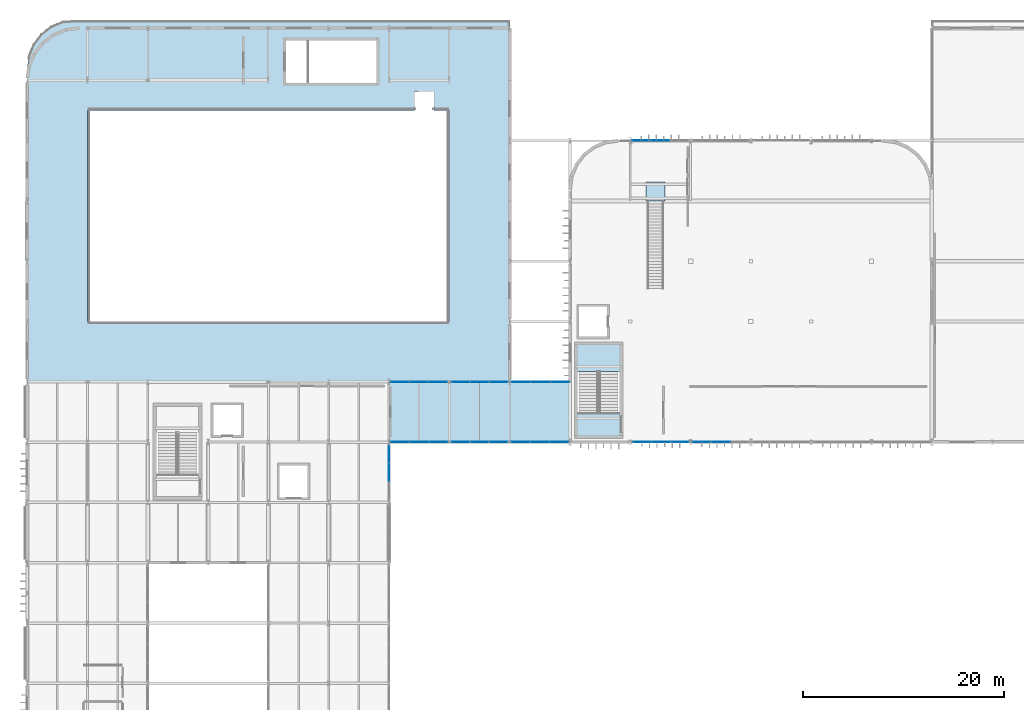
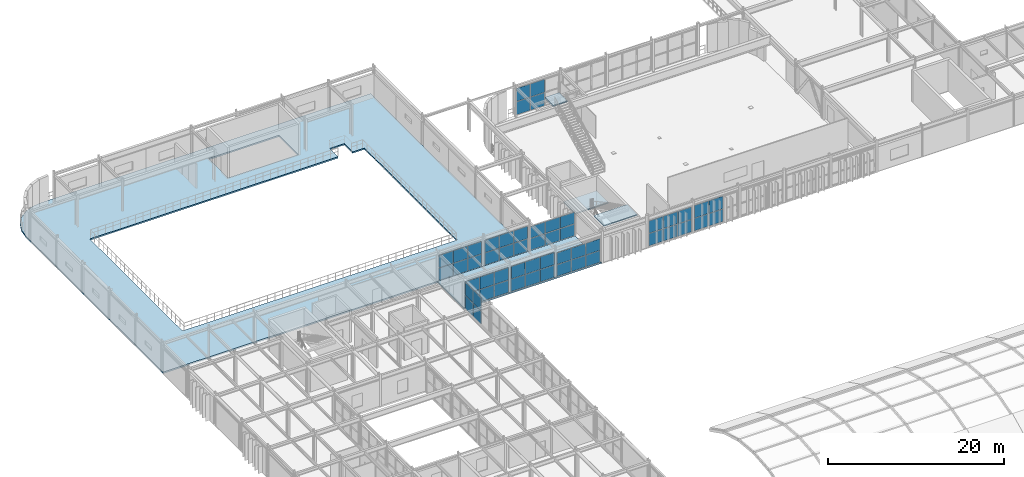
# One storey, part 49 of 84: 54 plates, 5 slabs, 12 elements without a shape of their own.
"""IFC4 building model written with IfcOpenShell, lengths in metres."""

from ifc_helpers import new_model, si_unit, direction, frame, origin, origin_2d, place, context, subcontext, project, spatial, polyline, rectangle, outline, extrude, material, layer, layer_set, type_object, element, aggregate, save


model = new_model("IFC4")

# Units and contexts
model_context = context("Model", 3, precision=1e-05, world=origin(), true_north=direction((0.0, 1.0)))
body_context = subcontext(model_context, "Body", "Model", "MODEL_VIEW")
ifc_project = project(units=[si_unit("LENGTHUNIT", "METRE"), si_unit("AREAUNIT", "SQUARE_METRE"), si_unit("VOLUMEUNIT", "CUBIC_METRE"), si_unit("PLANEANGLEUNIT", "RADIAN"), si_unit("MASSUNIT", "GRAM", prefix="KILO")], contexts=[model_context])

# Site, building, storey
site_placement = place(None, origin())
site = spatial("IfcSite", under=ifc_project, at=site_placement, CompositionType="ELEMENT")
building_placement = place(site_placement, origin())
building = spatial("IfcBuilding", under=site, at=building_placement, Name="Varnakota Square Police Headquarters", CompositionType="ELEMENT")
storey_placement = place(building_placement, frame((0.0, 0.0, 13.5)))
storey = spatial("IfcBuildingStorey", under=building, at=storey_placement, Name="L03", CompositionType="ELEMENT", Elevation=13.5)

# Curtain wall, plates
ifc_material_1 = material(Name="Anodised Aluminium Framing", Category="aluminium")
curtain_wall_type_1 = type_object("IfcCurtainWallType", Name="CW-SYS-E", PredefinedType="NOTDEFINED", material=ifc_material_1)
curtain_wall_1_placement = place(storey_placement, origin())
curtain_wall_1 = element("IfcCurtainWall", 1, at=curtain_wall_1_placement, inside=storey, type_object=curtain_wall_type_1, Name="Unitised curtain wall CWG-L03-211", PredefinedType="NOTDEFINED")
ifc_material_2 = material(Name="Solar-Control Laminated Double Glazing", Category="glass")
ifc_layer_1 = layer(ifc_material_2, 0.028076171875, Name="Solar-Control Laminated Double Glazing")
ifc_layer_set_1 = layer_set([ifc_layer_1], Name="Solar-Control Laminated Double Glazing")
plate_type_1 = type_object("IfcPlateType", Name="CWP-GLZ-28", PredefinedType="CURTAIN_PANEL", material=ifc_layer_set_1)
plate_1_placement = place(storey_placement, frame((43.080078125, 75.0, 0.06494140625), z_axis=(0.0, 0.0, 1.0), x_axis=(1.0, 0.0, 0.0)))
plate_1 = element("IfcPlate", 2, at=plate_1_placement, type_object=plate_type_1, Name="CWG-L03-211 panel 1.1", PredefinedType="CURTAIN_PANEL", context=body_context, shape_type="SweptSolid", body=[
    extrude(rectangle(XDim=1.810302734375, YDim=0.028076171875, at=origin_2d()), origin(), (0.0, 0.0, 1.0), 1.697509765625),
])
plate_2_placement = place(storey_placement, frame((44.971435546875, 75.0, 0.06494140625), z_axis=(0.0, 0.0, 1.0), x_axis=(1.0, 0.0, 0.0)))
plate_2 = element("IfcPlate", 3, at=plate_2_placement, type_object=plate_type_1, Name="CWG-L03-211 panel 2.1", PredefinedType="CURTAIN_PANEL", context=body_context, shape_type="SweptSolid", body=[
    extrude(rectangle(XDim=1.8427734375, YDim=0.028076171875, at=origin_2d()), origin(), (0.0, 0.0, 1.0), 1.697509765625),
])
plate_3_placement = place(storey_placement, frame((46.863037109375, 75.0, 0.06494140625), z_axis=(0.0, 0.0, 1.0), x_axis=(1.0, 0.0, 0.0)))
plate_3 = element("IfcPlate", 4, at=plate_3_placement, type_object=plate_type_1, Name="CWG-L03-211 panel 3.1", PredefinedType="CURTAIN_PANEL", context=body_context, shape_type="SweptSolid", body=[
    extrude(rectangle(XDim=1.810302734375, YDim=0.028076171875, at=origin_2d()), origin(), (0.0, 0.0, 1.0), 1.697509765625),
])

curtain_wall_2_placement = place(storey_placement, origin())
curtain_wall_2 = element("IfcCurtainWall", 5, at=curtain_wall_2_placement, inside=storey, type_object=curtain_wall_type_1, Name="Unitised curtain wall CWG-L03-215", PredefinedType="NOTDEFINED")
plate_4_placement = place(storey_placement, frame((55.12451171875, 75.0, 0.06494140625), z_axis=(0.0, 0.0, 1.0), x_axis=(1.0, 0.0, 0.0)))
plate_4 = element("IfcPlate", 6, at=plate_4_placement, type_object=plate_type_1, Name="CWG-L03-215 panel 1.1", PredefinedType="CURTAIN_PANEL", context=body_context, shape_type="SweptSolid", body=[
    extrude(rectangle(XDim=1.859130859375, YDim=0.028076171875, at=origin_2d()), origin(), (0.0, 0.0, 1.0), 1.597412109375),
])
plate_5_placement = place(storey_placement, frame((57.06494140625, 75.0, 0.06494140625), z_axis=(0.0, 0.0, 1.0), x_axis=(1.0, 0.0, 0.0)))
plate_5 = element("IfcPlate", 7, at=plate_5_placement, type_object=plate_type_1, Name="CWG-L03-215 panel 2.1", PredefinedType="CURTAIN_PANEL", context=body_context, shape_type="SweptSolid", body=[
    extrude(rectangle(XDim=1.8916015625, YDim=0.028076171875, at=origin_2d()), origin(), (0.0, 0.0, 1.0), 1.597412109375),
])
plate_6_placement = place(storey_placement, frame((59.00537109375, 75.0, 0.06494140625), z_axis=(0.0, 0.0, 1.0), x_axis=(1.0, 0.0, 0.0)))
plate_6 = element("IfcPlate", 8, at=plate_6_placement, type_object=plate_type_1, Name="CWG-L03-215 panel 3.1", PredefinedType="CURTAIN_PANEL", context=body_context, shape_type="SweptSolid", body=[
    extrude(rectangle(XDim=1.859130859375, YDim=0.028076171875, at=origin_2d()), origin(), (0.0, 0.0, 1.0), 1.597412109375),
])

curtain_wall_3_placement = place(storey_placement, origin())
curtain_wall_3 = element("IfcCurtainWall", 9, at=curtain_wall_3_placement, inside=storey, type_object=curtain_wall_type_1, Name="Unitised curtain wall CWG-L03-212", PredefinedType="NOTDEFINED")
ifc_material_3 = material(Name="Acoustic Laminated Double Glazing", Category="glass")
ifc_layer_2 = layer(ifc_material_3, 0.031982421875, Name="Acoustic Laminated Double Glazing")
ifc_layer_set_2 = layer_set([ifc_layer_2], Name="Acoustic Laminated Double Glazing")
plate_type_2 = type_object("IfcPlateType", Name="CWP-GLZ-32", PredefinedType="CURTAIN_PANEL", material=ifc_layer_set_2)
plate_7_placement = place(storey_placement, frame((49.092529296875, 69.0, 0.06494140625), z_axis=(0.0, 0.0, 1.0), x_axis=(1.0, 0.0, 0.0)))
plate_7 = element("IfcPlate", 10, at=plate_7_placement, type_object=plate_type_2, Name="CWG-L03-212 panel 1.1", PredefinedType="CURTAIN_PANEL", context=body_context, shape_type="SweptSolid", body=[
    extrude(rectangle(XDim=1.826171875, YDim=0.031982421875, at=origin_2d()), origin(), (0.0, 0.0, 1.0), 1.697509765625),
])
plate_8_placement = place(storey_placement, frame((51.0, 69.0, 0.06494140625), z_axis=(0.0, 0.0, 1.0), x_axis=(1.0, 0.0, 0.0)))
plate_8 = element("IfcPlate", 11, at=plate_8_placement, type_object=plate_type_2, Name="CWG-L03-212 panel 2.1", PredefinedType="CURTAIN_PANEL", context=body_context, shape_type="SweptSolid", body=[
    extrude(rectangle(XDim=1.858642578125, YDim=0.031982421875, at=origin_2d()), origin(), (0.0, 0.0, 1.0), 1.697509765625),
])
plate_9_placement = place(storey_placement, frame((52.907470703125, 69.0, 0.06494140625), z_axis=(0.0, 0.0, 1.0), x_axis=(1.0, 0.0, 0.0)))
plate_9 = element("IfcPlate", 12, at=plate_9_placement, type_object=plate_type_2, Name="CWG-L03-212 panel 3.1", PredefinedType="CURTAIN_PANEL", context=body_context, shape_type="SweptSolid", body=[
    extrude(rectangle(XDim=1.826171875, YDim=0.031982421875, at=origin_2d()), origin(), (0.0, 0.0, 1.0), 1.697509765625),
])

curtain_wall_type_2 = type_object("IfcCurtainWallType", Name="CW-SYS-D", PredefinedType="NOTDEFINED", material=ifc_material_1)
curtain_wall_4_placement = place(storey_placement, origin())
curtain_wall_4 = element("IfcCurtainWall", 13, at=curtain_wall_4_placement, inside=storey, type_object=curtain_wall_type_2, Name="Unitised curtain wall CWG-L03-173", PredefinedType="NOTDEFINED")
ifc_material_4 = material(Name="Blast-Resistant Laminated Glazing", Category="glass")
ifc_layer_3 = layer(ifc_material_4, 0.035888671875, Name="Blast-Resistant Laminated Glazing")
ifc_layer_set_3 = layer_set([ifc_layer_3], Name="Blast-Resistant Laminated Glazing")
plate_type_3 = type_object("IfcPlateType", Name="CWP-GLZ-36", PredefinedType="CURTAIN_PANEL", material=ifc_layer_set_3)
plate_10_placement = place(storey_placement, frame((42.0, 65.987548828125, 0.06494140625), z_axis=(0.0, 0.0, 1.0), x_axis=(0.0, 1.0, 0.0)))
plate_10 = element("IfcPlate", 14, at=plate_10_placement, type_object=plate_type_3, Name="CWG-L03-173 panel 2.1", PredefinedType="CURTAIN_PANEL", context=body_context, shape_type="SweptSolid", body=[
    extrude(rectangle(XDim=1.756591796875, YDim=0.035888671875, at=origin_2d()), origin(), (0.0, 0.0, 1.0), 1.794189453125),
])
plate_11_placement = place(storey_placement, frame((42.0, 67.79296875, 0.06494140625), z_axis=(0.0, 0.0, 1.0), x_axis=(0.0, 1.0, 0.0)))
plate_11 = element("IfcPlate", 15, at=plate_11_placement, type_object=plate_type_3, Name="CWG-L03-173 panel 3.1", PredefinedType="CURTAIN_PANEL", context=body_context, shape_type="SweptSolid", body=[
    extrude(rectangle(XDim=1.72412109375, YDim=0.035888671875, at=origin_2d()), origin(), (0.0, 0.0, 1.0), 1.794189453125),
])

curtain_wall_5_placement = place(storey_placement, origin())
curtain_wall_5 = element("IfcCurtainWall", 16, at=curtain_wall_5_placement, inside=storey, type_object=curtain_wall_type_1, Name="Unitised curtain wall CWG-L03-213", PredefinedType="NOTDEFINED")
plate_12_placement = place(storey_placement, frame((49.133544921875, 75.0, 0.06494140625), z_axis=(0.0, 0.0, 1.0), x_axis=(1.0, 0.0, 0.0)))
plate_12 = element("IfcPlate", 17, at=plate_12_placement, type_object=plate_type_3, Name="CWG-L03-213 panel 1.1", PredefinedType="CURTAIN_PANEL", context=body_context, shape_type="SweptSolid", body=[
    extrude(rectangle(XDim=1.803466796875, YDim=0.035888671875, at=origin_2d()), origin(), (0.0, 0.0, 1.0), 1.697509765625),
])
plate_13_placement = place(storey_placement, frame((51.0185546875, 75.0, 0.06494140625), z_axis=(0.0, 0.0, 1.0), x_axis=(1.0, 0.0, 0.0)))
plate_13 = element("IfcPlate", 18, at=plate_13_placement, type_object=plate_type_3, Name="CWG-L03-213 panel 2.1", PredefinedType="CURTAIN_PANEL", context=body_context, shape_type="SweptSolid", body=[
    extrude(rectangle(XDim=1.8359375, YDim=0.035888671875, at=origin_2d()), origin(), (0.0, 0.0, 1.0), 1.697509765625),
])
plate_14_placement = place(storey_placement, frame((52.9033203125, 75.0, 0.06494140625), z_axis=(0.0, 0.0, 1.0), x_axis=(1.0, 0.0, 0.0)))
plate_14 = element("IfcPlate", 19, at=plate_14_placement, type_object=plate_type_3, Name="CWG-L03-213 panel 3.1", PredefinedType="CURTAIN_PANEL", context=body_context, shape_type="SweptSolid", body=[
    extrude(rectangle(XDim=1.803466796875, YDim=0.035888671875, at=origin_2d()), origin(), (0.0, 0.0, 1.0), 1.697509765625),
])

curtain_wall_type_3 = type_object("IfcCurtainWallType", Name="CW-SYS-B", PredefinedType="NOTDEFINED", material=ifc_material_1)
curtain_wall_6_placement = place(storey_placement, origin())
curtain_wall_6 = element("IfcCurtainWall", 20, at=curtain_wall_6_placement, inside=storey, type_object=curtain_wall_type_3, Name="Unitised curtain wall CWG-L03-245", PredefinedType="NOTDEFINED")
plate_15_placement = place(storey_placement, frame((67.16796875, 69.0, 0.06494140625), z_axis=(0.0, 0.0, 1.0), x_axis=(1.0, 0.0, 0.0)))
plate_15 = element("IfcPlate", 21, at=plate_15_placement, type_object=plate_type_3, Name="CWG-L03-245 panel 1.1", PredefinedType="CURTAIN_PANEL", context=body_context, shape_type="SweptSolid", body=[
    extrude(rectangle(XDim=1.789794921875, YDim=0.035888671875, at=origin_2d()), origin(), (0.0, 0.0, 1.0), 1.697509765625),
])
plate_16_placement = place(storey_placement, frame((69.0390625, 69.0, 0.06494140625), z_axis=(0.0, 0.0, 1.0), x_axis=(1.0, 0.0, 0.0)))
plate_16 = element("IfcPlate", 22, at=plate_16_placement, type_object=plate_type_3, Name="CWG-L03-245 panel 2.1", PredefinedType="CURTAIN_PANEL", context=body_context, shape_type="SweptSolid", body=[
    extrude(rectangle(XDim=1.822265625, YDim=0.035888671875, at=origin_2d()), origin(), (0.0, 0.0, 1.0), 1.697509765625),
])
plate_17_placement = place(storey_placement, frame((70.91015625, 69.0, 0.06494140625), z_axis=(0.0, 0.0, 1.0), x_axis=(1.0, 0.0, 0.0)))
plate_17 = element("IfcPlate", 23, at=plate_17_placement, type_object=plate_type_3, Name="CWG-L03-245 panel 3.1", PredefinedType="CURTAIN_PANEL", context=body_context, shape_type="SweptSolid", body=[
    extrude(rectangle(XDim=1.789794921875, YDim=0.035888671875, at=origin_2d()), origin(), (0.0, 0.0, 1.0), 1.697509765625),
])

curtain_wall_7_placement = place(storey_placement, origin())
curtain_wall_7 = element("IfcCurtainWall", 24, at=curtain_wall_7_placement, inside=storey, type_object=curtain_wall_type_1, Name="Unitised curtain wall CWG-L03-210", PredefinedType="NOTDEFINED")
ifc_material_5 = material(Name="Triple-Glazed Clean-Lab Vision Unit", Category="aluminium")
ifc_layer_4 = layer(ifc_material_5, 0.0419921875, Name="Triple-Glazed Clean-Lab Vision Unit")
ifc_layer_set_4 = layer_set([ifc_layer_4], Name="Triple-Glazed Clean-Lab Vision Unit")
plate_type_4 = type_object("IfcPlateType", Name="CWP-GLZ-42", PredefinedType="CURTAIN_PANEL", material=ifc_layer_set_4)
plate_18_placement = place(storey_placement, frame((43.08056640625, 69.0, 0.06494140625), z_axis=(0.0, 0.0, 1.0), x_axis=(1.0, 0.0, 0.0)))
plate_18 = element("IfcPlate", 25, at=plate_18_placement, type_object=plate_type_4, Name="CWG-L03-210 panel 1.1", PredefinedType="CURTAIN_PANEL", context=body_context, shape_type="SweptSolid", body=[
    extrude(rectangle(XDim=1.8310546875, YDim=0.0419921875, at=origin_2d()), origin(), (0.0, 0.0, 1.0), 1.697509765625),
])
plate_19_placement = place(storey_placement, frame((44.99267578125, 69.0, 0.06494140625), z_axis=(0.0, 0.0, 1.0), x_axis=(1.0, 0.0, 0.0)))
plate_19 = element("IfcPlate", 26, at=plate_19_placement, type_object=plate_type_4, Name="CWG-L03-210 panel 2.1", PredefinedType="CURTAIN_PANEL", context=body_context, shape_type="SweptSolid", body=[
    extrude(rectangle(XDim=1.863525390625, YDim=0.0419921875, at=origin_2d()), origin(), (0.0, 0.0, 1.0), 1.697509765625),
])
plate_20_placement = place(storey_placement, frame((46.905029296875, 69.0, 0.06494140625), z_axis=(0.0, 0.0, 1.0), x_axis=(1.0, 0.0, 0.0)))
plate_20 = element("IfcPlate", 27, at=plate_20_placement, type_object=plate_type_4, Name="CWG-L03-210 panel 3.1", PredefinedType="CURTAIN_PANEL", context=body_context, shape_type="SweptSolid", body=[
    extrude(rectangle(XDim=1.8310546875, YDim=0.0419921875, at=origin_2d()), origin(), (0.0, 0.0, 1.0), 1.697509765625),
])

curtain_wall_8_placement = place(storey_placement, origin())
curtain_wall_8 = element("IfcCurtainWall", 28, at=curtain_wall_8_placement, inside=storey, type_object=curtain_wall_type_1, Name="Unitised curtain wall CWG-L03-214", PredefinedType="NOTDEFINED")
plate_21_placement = place(storey_placement, frame((55.090087890625, 69.0, 0.06494140625), z_axis=(0.0, 0.0, 1.0), x_axis=(1.0, 0.0, 0.0)))
plate_21 = element("IfcPlate", 29, at=plate_21_placement, type_object=plate_type_4, Name="CWG-L03-214 panel 1.1", PredefinedType="CURTAIN_PANEL", context=body_context, shape_type="SweptSolid", body=[
    extrude(rectangle(XDim=1.821044921875, YDim=0.0419921875, at=origin_2d()), origin(), (0.0, 0.0, 1.0), 1.597412109375),
])
plate_22_placement = place(storey_placement, frame((56.9921875, 69.0, 0.06494140625), z_axis=(0.0, 0.0, 1.0), x_axis=(1.0, 0.0, 0.0)))
plate_22 = element("IfcPlate", 30, at=plate_22_placement, type_object=plate_type_4, Name="CWG-L03-214 panel 2.1", PredefinedType="CURTAIN_PANEL", context=body_context, shape_type="SweptSolid", body=[
    extrude(rectangle(XDim=1.853515625, YDim=0.0419921875, at=origin_2d()), origin(), (0.0, 0.0, 1.0), 1.597412109375),
])
plate_23_placement = place(storey_placement, frame((58.89453125, 69.0, 0.06494140625), z_axis=(0.0, 0.0, 1.0), x_axis=(1.0, 0.0, 0.0)))
plate_23 = element("IfcPlate", 31, at=plate_23_placement, type_object=plate_type_4, Name="CWG-L03-214 panel 3.1", PredefinedType="CURTAIN_PANEL", context=body_context, shape_type="SweptSolid", body=[
    extrude(rectangle(XDim=1.821044921875, YDim=0.0419921875, at=origin_2d()), origin(), (0.0, 0.0, 1.0), 1.597412109375),
])

curtain_wall_9_placement = place(storey_placement, origin())
curtain_wall_9 = element("IfcCurtainWall", 32, at=curtain_wall_9_placement, inside=storey, type_object=curtain_wall_type_3, Name="Unitised curtain wall CWG-L03-246", PredefinedType="NOTDEFINED")
plate_24_placement = place(storey_placement, frame((73.10302734375, 69.0, 0.06494140625), z_axis=(0.0, 0.0, 1.0), x_axis=(1.0, 0.0, 0.0)))
plate_24 = element("IfcPlate", 33, at=plate_24_placement, type_object=plate_type_4, Name="CWG-L03-246 panel 1.1", PredefinedType="CURTAIN_PANEL", context=body_context, shape_type="SweptSolid", body=[
    extrude(rectangle(XDim=1.81591796875, YDim=0.0419921875, at=origin_2d()), origin(), (0.0, 0.0, 1.0), 1.722412109375),
])
plate_25_placement = place(storey_placement, frame((75.0, 69.0, 0.06494140625), z_axis=(0.0, 0.0, 1.0), x_axis=(1.0, 0.0, 0.0)))
plate_25 = element("IfcPlate", 34, at=plate_25_placement, type_object=plate_type_4, Name="CWG-L03-246 panel 2.1", PredefinedType="CURTAIN_PANEL", context=body_context, shape_type="SweptSolid", body=[
    extrude(rectangle(XDim=1.848388671875, YDim=0.0419921875, at=origin_2d()), origin(), (0.0, 0.0, 1.0), 1.722412109375),
])

curtain_wall_type_4 = type_object("IfcCurtainWallType", Name="CW-SYS-C", PredefinedType="NOTDEFINED", material=ifc_material_1)
curtain_wall_10_placement = place(storey_placement, origin())
curtain_wall_10 = element("IfcCurtainWall", 35, at=curtain_wall_10_placement, inside=storey, type_object=curtain_wall_type_4, Name="Unitised curtain wall CWG-L03-250", PredefinedType="NOTDEFINED")
plate_26_placement = place(storey_placement, frame((67.08984375, 99.0, 0.06494140625), z_axis=(0.0, 0.0, 1.0), x_axis=(1.0, 0.0, 0.0)))
plate_26 = element("IfcPlate", 36, at=plate_26_placement, type_object=plate_type_4, Name="CWG-L03-250 panel 1.1", PredefinedType="CURTAIN_PANEL", context=body_context, shape_type="SweptSolid", body=[
    extrude(rectangle(XDim=1.789794921875, YDim=0.0419921875, at=origin_2d()), origin(), (0.0, 0.0, 1.0), 1.797607421875),
])
plate_27_placement = place(storey_placement, frame((68.9609375, 99.0, 0.06494140625), z_axis=(0.0, 0.0, 1.0), x_axis=(1.0, 0.0, 0.0)))
plate_27 = element("IfcPlate", 37, at=plate_27_placement, type_object=plate_type_4, Name="CWG-L03-250 panel 2.1", PredefinedType="CURTAIN_PANEL", context=body_context, shape_type="SweptSolid", body=[
    extrude(rectangle(XDim=1.822265625, YDim=0.0419921875, at=origin_2d()), origin(), (0.0, 0.0, 1.0), 1.797607421875),
])

# Plate
ifc_material_6 = material(Name="Insulated Anodised Aluminium Spandrel Panel", Category="aluminium")
ifc_layer_5 = layer(ifc_material_6, 0.050048828125, Name="Insulated Anodised Aluminium Spandrel Panel")
ifc_layer_set_5 = layer_set([ifc_layer_5], Name="Insulated Anodised Aluminium Spandrel Panel")
plate_type_5 = type_object("IfcPlateType", Name="CWP-SPN-50", PredefinedType="CURTAIN_PANEL", material=ifc_layer_set_5)
plate_28_placement = place(storey_placement, frame((42.0, 65.987548828125, 1.92431640625), z_axis=(0.0, 0.0, 1.0), x_axis=(0.0, 1.0, 0.0)))
plate_28 = element("IfcPlate", 38, at=plate_28_placement, type_object=plate_type_5, Name="CWG-L03-173 panel 2.2", PredefinedType="CURTAIN_PANEL", context=body_context, shape_type="SweptSolid", body=[
    extrude(rectangle(XDim=1.756591796875, YDim=0.050048828125, at=origin_2d()), origin(), (0.0, 0.0, 1.0), 1.794189453125),
])

plate_29_placement = place(storey_placement, frame((42.0, 67.79296875, 1.92431640625), z_axis=(0.0, 0.0, 1.0), x_axis=(0.0, 1.0, 0.0)))
plate_29 = element("IfcPlate", 39, at=plate_29_placement, type_object=plate_type_5, Name="CWG-L03-173 panel 3.2", PredefinedType="CURTAIN_PANEL", context=body_context, shape_type="SweptSolid", body=[
    extrude(rectangle(XDim=1.72412109375, YDim=0.050048828125, at=origin_2d()), origin(), (0.0, 0.0, 1.0), 1.794189453125),
])

aggregate(curtain_wall_4, [plate_10, plate_28, plate_11, plate_29])

plate_30_placement = place(storey_placement, frame((43.080078125, 75.0, 1.82763671875), z_axis=(0.0, 0.0, 1.0), x_axis=(1.0, 0.0, 0.0)))
plate_30 = element("IfcPlate", 40, at=plate_30_placement, type_object=plate_type_5, Name="CWG-L03-211 panel 1.2", PredefinedType="CURTAIN_PANEL", context=body_context, shape_type="SweptSolid", body=[
    extrude(rectangle(XDim=1.810302734375, YDim=0.050048828125, at=origin_2d()), origin(), (0.0, 0.0, 1.0), 1.697509765625),
])

plate_31_placement = place(storey_placement, frame((44.971435546875, 75.0, 1.82763671875), z_axis=(0.0, 0.0, 1.0), x_axis=(1.0, 0.0, 0.0)))
plate_31 = element("IfcPlate", 41, at=plate_31_placement, type_object=plate_type_5, Name="CWG-L03-211 panel 2.2", PredefinedType="CURTAIN_PANEL", context=body_context, shape_type="SweptSolid", body=[
    extrude(rectangle(XDim=1.8427734375, YDim=0.050048828125, at=origin_2d()), origin(), (0.0, 0.0, 1.0), 1.697509765625),
])

plate_32_placement = place(storey_placement, frame((46.863037109375, 75.0, 1.82763671875), z_axis=(0.0, 0.0, 1.0), x_axis=(1.0, 0.0, 0.0)))
plate_32 = element("IfcPlate", 42, at=plate_32_placement, type_object=plate_type_5, Name="CWG-L03-211 panel 3.2", PredefinedType="CURTAIN_PANEL", context=body_context, shape_type="SweptSolid", body=[
    extrude(rectangle(XDim=1.810302734375, YDim=0.050048828125, at=origin_2d()), origin(), (0.0, 0.0, 1.0), 1.697509765625),
])

aggregate(curtain_wall_1, [plate_1, plate_30, plate_2, plate_31, plate_3, plate_32])

plate_33_placement = place(storey_placement, frame((49.133544921875, 75.0, 1.82763671875), z_axis=(0.0, 0.0, 1.0), x_axis=(1.0, 0.0, 0.0)))
plate_33 = element("IfcPlate", 43, at=plate_33_placement, type_object=plate_type_5, Name="CWG-L03-213 panel 1.2", PredefinedType="CURTAIN_PANEL", context=body_context, shape_type="SweptSolid", body=[
    extrude(rectangle(XDim=1.803466796875, YDim=0.050048828125, at=origin_2d()), origin(), (0.0, 0.0, 1.0), 1.697509765625),
])

plate_34_placement = place(storey_placement, frame((51.0185546875, 75.0, 1.82763671875), z_axis=(0.0, 0.0, 1.0), x_axis=(1.0, 0.0, 0.0)))
plate_34 = element("IfcPlate", 44, at=plate_34_placement, type_object=plate_type_5, Name="CWG-L03-213 panel 2.2", PredefinedType="CURTAIN_PANEL", context=body_context, shape_type="SweptSolid", body=[
    extrude(rectangle(XDim=1.8359375, YDim=0.050048828125, at=origin_2d()), origin(), (0.0, 0.0, 1.0), 1.697509765625),
])

plate_35_placement = place(storey_placement, frame((52.9033203125, 75.0, 1.82763671875), z_axis=(0.0, 0.0, 1.0), x_axis=(1.0, 0.0, 0.0)))
plate_35 = element("IfcPlate", 45, at=plate_35_placement, type_object=plate_type_5, Name="CWG-L03-213 panel 3.2", PredefinedType="CURTAIN_PANEL", context=body_context, shape_type="SweptSolid", body=[
    extrude(rectangle(XDim=1.803466796875, YDim=0.050048828125, at=origin_2d()), origin(), (0.0, 0.0, 1.0), 1.697509765625),
])

aggregate(curtain_wall_5, [plate_12, plate_33, plate_13, plate_34, plate_14, plate_35])

plate_36_placement = place(storey_placement, frame((55.12451171875, 75.0, 1.7275390625), z_axis=(0.0, 0.0, 1.0), x_axis=(1.0, 0.0, 0.0)))
plate_36 = element("IfcPlate", 46, at=plate_36_placement, type_object=plate_type_5, Name="CWG-L03-215 panel 1.2", PredefinedType="CURTAIN_PANEL", context=body_context, shape_type="SweptSolid", body=[
    extrude(rectangle(XDim=1.859130859375, YDim=0.050048828125, at=origin_2d()), origin(), (0.0, 0.0, 1.0), 1.597412109375),
])

plate_37_placement = place(storey_placement, frame((57.06494140625, 75.0, 1.7275390625), z_axis=(0.0, 0.0, 1.0), x_axis=(1.0, 0.0, 0.0)))
plate_37 = element("IfcPlate", 47, at=plate_37_placement, type_object=plate_type_5, Name="CWG-L03-215 panel 2.2", PredefinedType="CURTAIN_PANEL", context=body_context, shape_type="SweptSolid", body=[
    extrude(rectangle(XDim=1.8916015625, YDim=0.050048828125, at=origin_2d()), origin(), (0.0, 0.0, 1.0), 1.597412109375),
])

plate_38_placement = place(storey_placement, frame((59.00537109375, 75.0, 1.7275390625), z_axis=(0.0, 0.0, 1.0), x_axis=(1.0, 0.0, 0.0)))
plate_38 = element("IfcPlate", 48, at=plate_38_placement, type_object=plate_type_5, Name="CWG-L03-215 panel 3.2", PredefinedType="CURTAIN_PANEL", context=body_context, shape_type="SweptSolid", body=[
    extrude(rectangle(XDim=1.859130859375, YDim=0.050048828125, at=origin_2d()), origin(), (0.0, 0.0, 1.0), 1.597412109375),
])

aggregate(curtain_wall_2, [plate_4, plate_36, plate_5, plate_37, plate_6, plate_38])

plate_39_placement = place(storey_placement, frame((67.16796875, 69.0, 1.82763671875), z_axis=(0.0, 0.0, 1.0), x_axis=(1.0, 0.0, 0.0)))
plate_39 = element("IfcPlate", 49, at=plate_39_placement, type_object=plate_type_5, Name="CWG-L03-245 panel 1.2", PredefinedType="CURTAIN_PANEL", context=body_context, shape_type="SweptSolid", body=[
    extrude(rectangle(XDim=1.789794921875, YDim=0.050048828125, at=origin_2d()), origin(), (0.0, 0.0, 1.0), 1.697509765625),
])

plate_40_placement = place(storey_placement, frame((69.0390625, 69.0, 1.82763671875), z_axis=(0.0, 0.0, 1.0), x_axis=(1.0, 0.0, 0.0)))
plate_40 = element("IfcPlate", 50, at=plate_40_placement, type_object=plate_type_5, Name="CWG-L03-245 panel 2.2", PredefinedType="CURTAIN_PANEL", context=body_context, shape_type="SweptSolid", body=[
    extrude(rectangle(XDim=1.822265625, YDim=0.050048828125, at=origin_2d()), origin(), (0.0, 0.0, 1.0), 1.697509765625),
])

plate_41_placement = place(storey_placement, frame((70.91015625, 69.0, 1.82763671875), z_axis=(0.0, 0.0, 1.0), x_axis=(1.0, 0.0, 0.0)))
plate_41 = element("IfcPlate", 51, at=plate_41_placement, type_object=plate_type_5, Name="CWG-L03-245 panel 3.2", PredefinedType="CURTAIN_PANEL", context=body_context, shape_type="SweptSolid", body=[
    extrude(rectangle(XDim=1.789794921875, YDim=0.050048828125, at=origin_2d()), origin(), (0.0, 0.0, 1.0), 1.697509765625),
])

aggregate(curtain_wall_6, [plate_15, plate_39, plate_16, plate_40, plate_17, plate_41])

ifc_material_7 = material(Name="Fire-Stopped Mineral-Wool Spandrel Panel", Category="aluminium")
ifc_layer_6 = layer(ifc_material_7, 0.06005859375, Name="Fire-Stopped Mineral-Wool Spandrel Panel")
ifc_layer_set_6 = layer_set([ifc_layer_6], Name="Fire-Stopped Mineral-Wool Spandrel Panel")
plate_type_6 = type_object("IfcPlateType", Name="CWP-SPN-60", PredefinedType="CURTAIN_PANEL", material=ifc_layer_set_6)
plate_42_placement = place(storey_placement, frame((43.08056640625, 69.0, 1.82763671875), z_axis=(0.0, 0.0, 1.0), x_axis=(1.0, 0.0, 0.0)))
plate_42 = element("IfcPlate", 52, at=plate_42_placement, type_object=plate_type_6, Name="CWG-L03-210 panel 1.2", PredefinedType="CURTAIN_PANEL", context=body_context, shape_type="SweptSolid", body=[
    extrude(rectangle(XDim=1.8310546875, YDim=0.06005859375, at=origin_2d()), origin(), (0.0, 0.0, 1.0), 1.697509765625),
])

plate_43_placement = place(storey_placement, frame((44.99267578125, 69.0, 1.82763671875), z_axis=(0.0, 0.0, 1.0), x_axis=(1.0, 0.0, 0.0)))
plate_43 = element("IfcPlate", 53, at=plate_43_placement, type_object=plate_type_6, Name="CWG-L03-210 panel 2.2", PredefinedType="CURTAIN_PANEL", context=body_context, shape_type="SweptSolid", body=[
    extrude(rectangle(XDim=1.863525390625, YDim=0.06005859375, at=origin_2d()), origin(), (0.0, 0.0, 1.0), 1.697509765625),
])

plate_44_placement = place(storey_placement, frame((46.905029296875, 69.0, 1.82763671875), z_axis=(0.0, 0.0, 1.0), x_axis=(1.0, 0.0, 0.0)))
plate_44 = element("IfcPlate", 54, at=plate_44_placement, type_object=plate_type_6, Name="CWG-L03-210 panel 3.2", PredefinedType="CURTAIN_PANEL", context=body_context, shape_type="SweptSolid", body=[
    extrude(rectangle(XDim=1.8310546875, YDim=0.06005859375, at=origin_2d()), origin(), (0.0, 0.0, 1.0), 1.697509765625),
])

aggregate(curtain_wall_7, [plate_18, plate_42, plate_19, plate_43, plate_20, plate_44])

plate_45_placement = place(storey_placement, frame((49.092529296875, 69.0, 1.82763671875), z_axis=(0.0, 0.0, 1.0), x_axis=(1.0, 0.0, 0.0)))
plate_45 = element("IfcPlate", 55, at=plate_45_placement, type_object=plate_type_6, Name="CWG-L03-212 panel 1.2", PredefinedType="CURTAIN_PANEL", context=body_context, shape_type="SweptSolid", body=[
    extrude(rectangle(XDim=1.826171875, YDim=0.06005859375, at=origin_2d()), origin(), (0.0, 0.0, 1.0), 1.697509765625),
])

plate_46_placement = place(storey_placement, frame((51.0, 69.0, 1.82763671875), z_axis=(0.0, 0.0, 1.0), x_axis=(1.0, 0.0, 0.0)))
plate_46 = element("IfcPlate", 56, at=plate_46_placement, type_object=plate_type_6, Name="CWG-L03-212 panel 2.2", PredefinedType="CURTAIN_PANEL", context=body_context, shape_type="SweptSolid", body=[
    extrude(rectangle(XDim=1.858642578125, YDim=0.06005859375, at=origin_2d()), origin(), (0.0, 0.0, 1.0), 1.697509765625),
])

plate_47_placement = place(storey_placement, frame((52.907470703125, 69.0, 1.82763671875), z_axis=(0.0, 0.0, 1.0), x_axis=(1.0, 0.0, 0.0)))
plate_47 = element("IfcPlate", 57, at=plate_47_placement, type_object=plate_type_6, Name="CWG-L03-212 panel 3.2", PredefinedType="CURTAIN_PANEL", context=body_context, shape_type="SweptSolid", body=[
    extrude(rectangle(XDim=1.826171875, YDim=0.06005859375, at=origin_2d()), origin(), (0.0, 0.0, 1.0), 1.697509765625),
])

aggregate(curtain_wall_3, [plate_7, plate_45, plate_8, plate_46, plate_9, plate_47])

plate_48_placement = place(storey_placement, frame((55.090087890625, 69.0, 1.7275390625), z_axis=(0.0, 0.0, 1.0), x_axis=(1.0, 0.0, 0.0)))
plate_48 = element("IfcPlate", 58, at=plate_48_placement, type_object=plate_type_6, Name="CWG-L03-214 panel 1.2", PredefinedType="CURTAIN_PANEL", context=body_context, shape_type="SweptSolid", body=[
    extrude(rectangle(XDim=1.821044921875, YDim=0.06005859375, at=origin_2d()), origin(), (0.0, 0.0, 1.0), 1.597412109375),
])

plate_49_placement = place(storey_placement, frame((56.9921875, 69.0, 1.7275390625), z_axis=(0.0, 0.0, 1.0), x_axis=(1.0, 0.0, 0.0)))
plate_49 = element("IfcPlate", 59, at=plate_49_placement, type_object=plate_type_6, Name="CWG-L03-214 panel 2.2", PredefinedType="CURTAIN_PANEL", context=body_context, shape_type="SweptSolid", body=[
    extrude(rectangle(XDim=1.853515625, YDim=0.06005859375, at=origin_2d()), origin(), (0.0, 0.0, 1.0), 1.597412109375),
])

plate_50_placement = place(storey_placement, frame((58.89453125, 69.0, 1.7275390625), z_axis=(0.0, 0.0, 1.0), x_axis=(1.0, 0.0, 0.0)))
plate_50 = element("IfcPlate", 60, at=plate_50_placement, type_object=plate_type_6, Name="CWG-L03-214 panel 3.2", PredefinedType="CURTAIN_PANEL", context=body_context, shape_type="SweptSolid", body=[
    extrude(rectangle(XDim=1.821044921875, YDim=0.06005859375, at=origin_2d()), origin(), (0.0, 0.0, 1.0), 1.597412109375),
])

aggregate(curtain_wall_8, [plate_21, plate_48, plate_22, plate_49, plate_23, plate_50])

plate_51_placement = place(storey_placement, frame((73.10302734375, 69.0, 1.8525390625), z_axis=(0.0, 0.0, 1.0), x_axis=(1.0, 0.0, 0.0)))
plate_51 = element("IfcPlate", 61, at=plate_51_placement, type_object=plate_type_6, Name="CWG-L03-246 panel 1.2", PredefinedType="CURTAIN_PANEL", context=body_context, shape_type="SweptSolid", body=[
    extrude(rectangle(XDim=1.81591796875, YDim=0.06005859375, at=origin_2d()), origin(), (0.0, 0.0, 1.0), 1.722412109375),
])

plate_52_placement = place(storey_placement, frame((75.0, 69.0, 1.8525390625), z_axis=(0.0, 0.0, 1.0), x_axis=(1.0, 0.0, 0.0)))
plate_52 = element("IfcPlate", 62, at=plate_52_placement, type_object=plate_type_6, Name="CWG-L03-246 panel 2.2", PredefinedType="CURTAIN_PANEL", context=body_context, shape_type="SweptSolid", body=[
    extrude(rectangle(XDim=1.848388671875, YDim=0.06005859375, at=origin_2d()), origin(), (0.0, 0.0, 1.0), 1.722412109375),
])

aggregate(curtain_wall_9, [plate_24, plate_51, plate_25, plate_52])

plate_53_placement = place(storey_placement, frame((67.08984375, 99.0, 1.92724609375), z_axis=(0.0, 0.0, 1.0), x_axis=(1.0, 0.0, 0.0)))
plate_53 = element("IfcPlate", 63, at=plate_53_placement, type_object=plate_type_6, Name="CWG-L03-250 panel 1.2", PredefinedType="CURTAIN_PANEL", context=body_context, shape_type="SweptSolid", body=[
    extrude(rectangle(XDim=1.789794921875, YDim=0.06005859375, at=origin_2d()), origin(), (0.0, 0.0, 1.0), 1.797607421875),
])

plate_54_placement = place(storey_placement, frame((68.9609375, 99.0, 1.92724609375), z_axis=(0.0, 0.0, 1.0), x_axis=(1.0, 0.0, 0.0)))
plate_54 = element("IfcPlate", 64, at=plate_54_placement, type_object=plate_type_6, Name="CWG-L03-250 panel 2.2", PredefinedType="CURTAIN_PANEL", context=body_context, shape_type="SweptSolid", body=[
    extrude(rectangle(XDim=1.822265625, YDim=0.06005859375, at=origin_2d()), origin(), (0.0, 0.0, 1.0), 1.797607421875),
])

aggregate(curtain_wall_10, [plate_26, plate_53, plate_27, plate_54])

# Slabs
ifc_material_8 = material(Name="Concrete M40", Category="concrete")
ifc_layer_7 = layer(ifc_material_8, 0.199951171875, Name="Concrete M40")
ifc_layer_set_7 = layer_set([ifc_layer_7], Name="Concrete M40")
slab_type_1 = type_object("IfcSlabType", Name="SL-COMP-200", PredefinedType="FLOOR", material=ifc_layer_set_7)
slab_1_placement = place(storey_placement, frame((0.0, 0.0, -0.199951171875)))
element("IfcSlab", 65, at=slab_1_placement, inside=storey, type_object=slab_type_1, Name="L03 North Court Link Bridge", PredefinedType="FLOOR", context=body_context, shape_type="SweptSolid", body=[
    extrude(outline(polyline([(42.0, 69.0), (60.0, 69.0), (60.0, 75.0), (42.0, 75.0), (42.0, 69.0)])), origin(), (0.0, 0.0, 1.0), 0.199951171875),
])
slab_2_placement = place(storey_placement, frame((0.0, 0.0, -0.199951171875)))
element("IfcSlab", 66, at=slab_2_placement, inside=storey, type_object=slab_type_1, Name="L03 Tactical Conditioning Gallery Slab", PredefinedType="FLOOR", context=body_context, shape_type="SweptSolid", body=[
    extrude(outline(polyline([(6.0, 75.0), (54.0, 75.0), (54.0, 111.0), (10.800048828125, 111.0), (9.5576171875, 110.83642578125), (8.39990234375, 110.35693359375), (7.406005859375, 109.593994140625), (6.64306640625, 108.60009765625), (6.16357421875, 107.4423828125), (6.0, 106.199951171875), (6.0, 75.0)]), holes=[polyline([(12.0, 81.0), (48.0, 81.0), (48.0, 102.0), (46.455078125, 102.0), (46.455078125, 103.905029296875), (44.544921875, 103.905029296875), (44.544921875, 102.0), (12.0, 102.0), (12.0, 81.0)]), polyline([(31.655029296875, 104.655029296875), (40.844970703125, 104.655029296875), (40.844970703125, 109.044921875), (31.655029296875, 109.044921875), (31.655029296875, 104.655029296875)])]), origin(), (0.0, 0.0, 1.0), 0.199951171875),
])

# Stair, slab
ifc_material_9 = material(Name="Precast concrete M40", Category="concrete")
stair_type_1 = type_object("IfcStairType", Name="STR-FEAT-1600", PredefinedType="STRAIGHT_RUN_STAIR", material=ifc_material_9)
stair_1_placement = place(storey_placement, origin())
stair_1 = element("IfcStair", 67, at=stair_1_placement, inside=storey, type_object=stair_type_1, Name="Civic feature straight-run stair ST-CMD1", PredefinedType="STRAIGHT_RUN_STAIR")
ifc_layer_8 = layer(ifc_material_9, 0.152099609375, Name="Precast concrete M40")
ifc_layer_set_8 = layer_set([ifc_layer_8], Name="Precast concrete M40")
slab_type_2 = type_object("IfcSlabType", Name="SLB-FLND-1600", PredefinedType="LANDING", material=ifc_layer_set_8)
slab_3_placement = place(storey_placement, frame((0.0, 0.0, 4.347900390625)))
slab_3 = element("IfcSlab", 68, at=slab_3_placement, type_object=slab_type_2, Name="ST-CMD1 landing 1", PredefinedType="LANDING", context=body_context, shape_type="SweptSolid", body=[
    extrude(outline(polyline([(67.550048828125, 93.0), (69.449951171875, 93.0), (69.449951171875, 94.89990234375), (67.550048828125, 94.89990234375), (67.550048828125, 93.0)])), origin(), (0.0, 0.0, 1.0), 0.152099609375),
])
aggregate(stair_1, [slab_3])

# Stair, slabs
stair_type_2 = type_object("IfcStairType", Name="STR-DOG-1850", PredefinedType="USERDEFINED", material=ifc_material_8)
stair_2_placement = place(storey_placement, origin())
stair_2 = element("IfcStair", 69, at=stair_2_placement, inside=storey, type_object=stair_type_2, Name="Protected exit stair ST6 (L03)", ObjectType="TWO_RETURN_STAIR", PredefinedType="USERDEFINED")
ifc_layer_9 = layer(ifc_material_8, 0.157958984375, Name="Concrete M40")
ifc_layer_set_9 = layer_set([ifc_layer_9], Name="Concrete M40")
slab_type_3 = type_object("IfcSlabType", Name="SLB-LND-1850", PredefinedType="LANDING", material=ifc_layer_set_9)
slab_4_placement = place(storey_placement, frame((0.0, 0.0, 2.092041015625)))
slab_4 = element("IfcSlab", 70, at=slab_4_placement, type_object=slab_type_3, Name="ST6-L03 landing 1", PredefinedType="LANDING", context=body_context, shape_type="SweptSolid", body=[
    extrude(outline(polyline([(60.659912109375, 76.05078125), (65.0400390625, 76.05078125), (65.0400390625, 78.739990234375), (60.659912109375, 78.739990234375), (60.659912109375, 76.05078125)])), origin(), (0.0, 0.0, 1.0), 0.157958984375),
])
slab_5_placement = place(storey_placement, frame((0.0, 0.0, 4.342041015625)))
slab_5 = element("IfcSlab", 71, at=slab_5_placement, type_object=slab_type_3, Name="ST6-L03 landing 2", PredefinedType="LANDING", context=body_context, shape_type="SweptSolid", body=[
    extrude(outline(polyline([(60.659912109375, 69.56005859375), (65.0400390625, 69.56005859375), (65.0400390625, 71.85009765625), (60.659912109375, 71.85009765625), (60.659912109375, 69.56005859375)])), origin(), (0.0, 0.0, 1.0), 0.157958984375),
])
aggregate(stair_2, [slab_4, slab_5])

save(model, "model.ifc")
